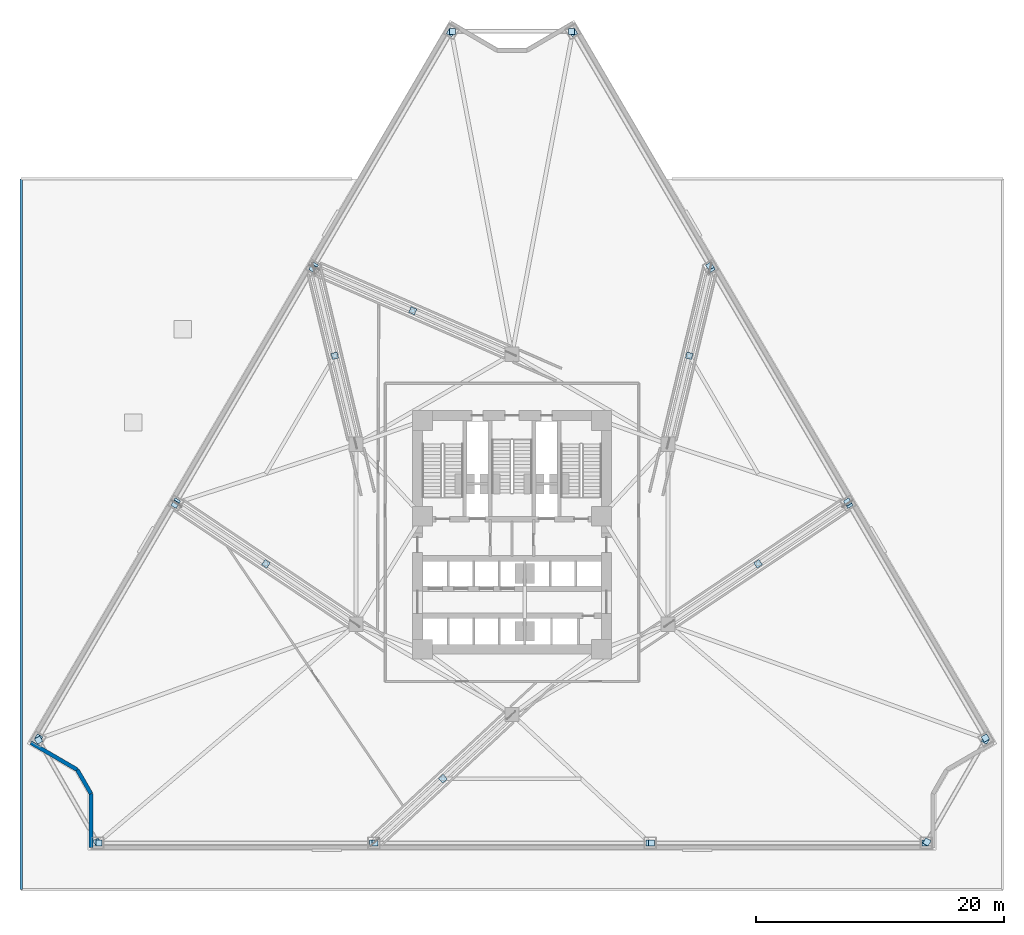
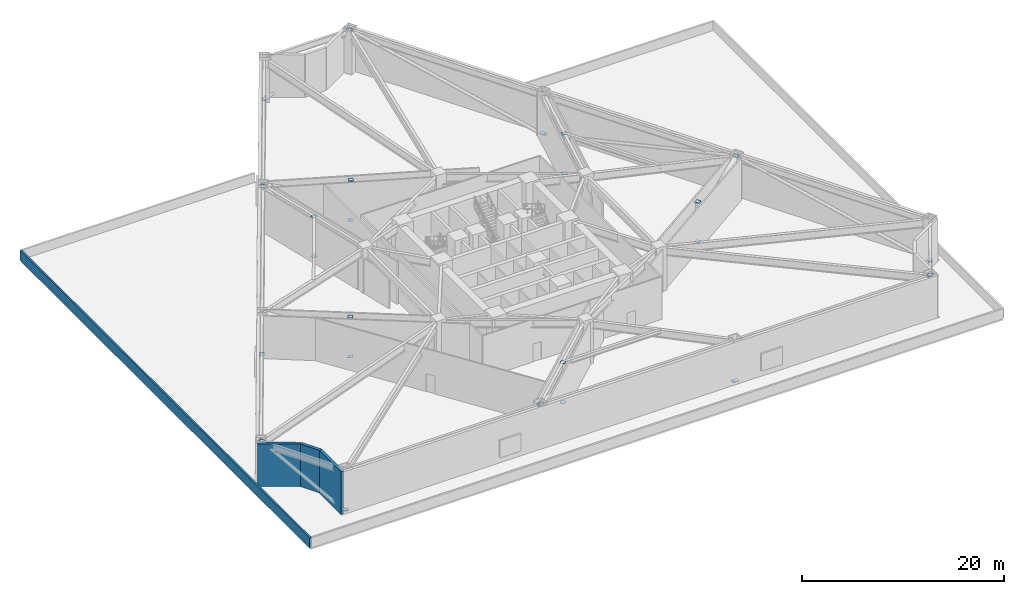
# One storey, part 13 of 23: 36 plates, 4 walls.
"""IFC4 building model written with IfcOpenShell, lengths in metres."""

from ifc_helpers import new_model, si_unit, direction, frame, frame_2d, origin, origin_2d, place, context, subcontext, project, spatial, rectangle, extrude, material, layer, layer_set, type_object, element, save


model = new_model("IFC4")

# Units and contexts
model_context = context("Model", 3, precision=1e-05, world=origin(), true_north=direction((0.0, 1.0)))
body_context = subcontext(model_context, "Body", "Model", "MODEL_VIEW")
ifc_project = project(units=[si_unit("LENGTHUNIT", "METRE"), si_unit("AREAUNIT", "SQUARE_METRE"), si_unit("VOLUMEUNIT", "CUBIC_METRE"), si_unit("PLANEANGLEUNIT", "RADIAN"), si_unit("MASSUNIT", "GRAM", prefix="KILO")], contexts=[model_context])

# Site, building, storey
site_placement = place(None, origin())
site = spatial("IfcSite", under=ifc_project, at=site_placement, CompositionType="ELEMENT")
building_placement = place(site_placement, origin())
building = spatial("IfcBuilding", under=site, at=building_placement, Name="Apsidion Concourse Tower", CompositionType="ELEMENT")
storey_placement = place(building_placement, frame((0.0, 0.0, 29.0)))
storey = spatial("IfcBuildingStorey", under=building, at=storey_placement, Name="L05", CompositionType="ELEMENT", Elevation=29.0)

# Plates
ifc_material_1 = material(Name="Structural steel ASTM A572 Grade 50", Category="steel")
ifc_layer_1 = layer(ifc_material_1, 0.034912109375)
ifc_layer_set_1 = layer_set([ifc_layer_1], Name="Structural steel ASTM A572 Grade 50")
plate_type = type_object("IfcPlateType", Name="PL-ENDCAP-35", PredefinedType="USERDEFINED", material=ifc_layer_set_1)
for number, where, z_axis, x_axis, name in (
    (1, (-19.8125, -2.371826171875, 0.22265625), (0.0, 0.0, 1.0), (-0.829720136676, 0.558179625922, 0.0), "L05 Outrigger Strut Base End-Cap Plate CAPA-01"),
    (2, (-19.8125, -2.371826171875, 5.03271484375), (0.0, 0.0, 1.0), (-0.829720136676, 0.558179625922, 0.0), "L05 Outrigger Strut Top End-Cap Plate CAPB-01"),
    (3, (19.8125, -2.371826171875, 0.22265625), (0.0, 0.0, 1.0), (0.829720136676, 0.558179625922, 0.0), "L05 Outrigger Strut Base End-Cap Plate CAPA-02"),
    (4, (19.8125, -2.371826171875, 5.03271484375), (0.0, 0.0, 1.0), (0.829720136676, 0.558179625922, 0.0), "L05 Outrigger Strut Top End-Cap Plate CAPB-02"),
    (5, (14.26806640625, 14.371826171875, 0.22265625), (0.0, 0.0, 1.0), (0.233275649735, 0.97241064949, 0.0), "L05 Outrigger Strut Base End-Cap Plate CAPA-03"),
    (6, (14.26806640625, 14.371826171875, 5.03271484375), (0.0, 0.0, 1.0), (0.233275649735, 0.97241064949, 0.0), "L05 Outrigger Strut Top End-Cap Plate CAPB-03"),
    (7, (-7.98828125, 17.996826171875, 0.22265625), (0.0, 0.0, 1.0), (-0.916083009922, 0.400988676813, 0.0), "L05 Outrigger Strut Base End-Cap Plate CAPA-04"),
    (8, (-7.98828125, 17.996826171875, 5.03271484375), (0.0, 0.0, 1.0), (-0.916083009922, 0.400988676813, 0.0), "L05 Outrigger Strut Top End-Cap Plate CAPB-04"),
    (9, (-14.26806640625, 14.371826171875, 0.22265625), (0.0, 0.0, 1.0), (-0.233275649735, 0.97241064949, 0.0), "L05 Outrigger Strut Base End-Cap Plate CAPA-05"),
    (10, (-14.26806640625, 14.371826171875, 5.03271484375), (0.0, 0.0, 1.0), (-0.233275649735, 0.97241064949, 0.0), "L05 Outrigger Strut Top End-Cap Plate CAPB-05"),
    (11, (-5.558349609375, -19.675048828125, 0.22265625), (0.0, 0.0, 1.0), (0.731948578909, 0.681359873953, 0.0), "L05 Outrigger Strut Base End-Cap Plate CAPA-06"),
    (12, (-5.558349609375, -19.675048828125, 5.03271484375), (0.0, 0.0, 1.0), (0.731948578909, 0.681359873953, 0.0), "L05 Outrigger Strut Top End-Cap Plate CAPB-06"),
    (13, (-4.93798828125, 40.394775390625, 0.1025390625), (0.0, 0.0, 1.0), (0.50437692518, 0.863483594138, 0.0), "L05 Belt-Truss Base End Plate BTP-01A"),
    (14, (-15.92578125, 21.580078125, 5.03271484375), (0.0, 0.0, 1.0), (0.50437692518, 0.863483594138, 0.0), "L05 Belt-Truss Top End Plate BTP-01B"),
    (15, (-27.014892578125, 2.5927734375, 0.1025390625), (0.0, 0.0, 1.0), (0.50437692518, 0.863483594138, 0.0), "L05 Belt-Truss Base End Plate BTP-02A"),
    (16, (-16.026611328125, 21.4072265625, 5.03271484375), (0.0, 0.0, 1.0), (0.50437692518, 0.863483594138, 0.0), "L05 Belt-Truss Top End Plate BTP-02B"),
    (17, (-27.115478515625, 2.419921875, 0.1025390625), (0.0, 0.0, 1.0), (0.50437692518, 0.863483594138, 0.0), "L05 Belt-Truss Base End Plate BTP-03A"),
    (18, (-38.103515625, -16.394775390625, 5.03271484375), (0.0, 0.0, 1.0), (0.50437692518, 0.863483594138, 0.0), "L05 Belt-Truss Top End Plate BTP-03B"),
    (19, (-33.39990234375, -24.76318359375, 0.1025390625), (0.0, 0.0, 1.0), (-0.497882410223, 0.867244547743, 0.0), "L05 Belt-Truss Base End Plate BTP-04A"),
    (20, (-38.104248046875, -16.56787109375, 5.03271484375), (0.0, 0.0, 1.0), (-0.497882410223, 0.867244547743, 0.0), "L05 Belt-Truss Top End Plate BTP-04B"),
    (21, (-33.25, -24.85009765625, 0.1025390625), (0.0, 0.0, 1.0), (1.0, 0.0, 0.0), "L05 Belt-Truss Base End Plate BTP-05A"),
    (22, (-11.216796875, -24.85009765625, 5.03271484375), (0.0, 0.0, 1.0), (1.0, 0.0, 0.0), "L05 Belt-Truss Top End Plate BTP-05B"),
    (23, (11.0166015625, -24.85009765625, 0.1025390625), (0.0, 0.0, 1.0), (1.0, 0.0, 0.0), "L05 Belt-Truss Base End Plate BTP-06A"),
    (24, (-11.0166015625, -24.85009765625, 5.03271484375), (0.0, 0.0, 1.0), (1.0, 0.0, 0.0), "L05 Belt-Truss Top End Plate BTP-06B"),
    (25, (11.216796875, -24.85009765625, 0.1025390625), (0.0, 0.0, 1.0), (1.0, 0.0, 0.0), "L05 Belt-Truss Base End Plate BTP-07A"),
    (26, (33.25, -24.85009765625, 5.03271484375), (0.0, 0.0, 1.0), (1.0, 0.0, 0.0), "L05 Belt-Truss Top End Plate BTP-07B"),
    (27, (38.104248046875, -16.56787109375, 0.1025390625), (0.0, 0.0, 1.0), (0.497882410223, 0.867244547743, 0.0), "L05 Belt-Truss Base End Plate BTP-08A"),
    (28, (33.39990234375, -24.76318359375, 5.03271484375), (0.0, 0.0, 1.0), (0.497882410223, 0.867244547743, 0.0), "L05 Belt-Truss Top End Plate BTP-08B"),
    (29, (38.103515625, -16.394775390625, 0.1025390625), (0.0, 0.0, 1.0), (-0.50437692518, 0.863483594138, 0.0), "L05 Belt-Truss Base End Plate BTP-09A"),
    (30, (27.115478515625, 2.419921875, 5.03271484375), (0.0, 0.0, 1.0), (-0.50437692518, 0.863483594138, 0.0), "L05 Belt-Truss Top End Plate BTP-09B"),
    (31, (16.026611328125, 21.4072265625, 0.1025390625), (0.0, 0.0, 1.0), (-0.50437692518, 0.863483594138, 0.0), "L05 Belt-Truss Base End Plate BTP-10A"),
    (32, (27.014892578125, 2.5927734375, 5.03271484375), (0.0, 0.0, 1.0), (-0.50437692518, 0.863483594138, 0.0), "L05 Belt-Truss Top End Plate BTP-10B"),
    (33, (15.92578125, 21.580078125, 0.1025390625), (0.0, 0.0, 1.0), (-0.50437692518, 0.863483594138, 0.0), "L05 Belt-Truss Base End Plate BTP-11A"),
    (34, (4.93798828125, 40.394775390625, 5.03271484375), (0.0, 0.0, 1.0), (-0.50437692518, 0.863483594138, 0.0), "L05 Belt-Truss Top End Plate BTP-11B"),
    (35, (-4.78759765625, 40.481201171875, 0.1025390625), (0.0, 0.0, 1.0), (1.0, 0.0, 0.0), "L05 Belt-Truss Base End Plate BTP-12A"),
    (36, (4.78759765625, 40.481201171875, 5.03271484375), (0.0, 0.0, 1.0), (1.0, 0.0, 0.0), "L05 Belt-Truss Top End Plate BTP-12B"),
):
    element("IfcPlate", number, at=place(storey_placement, frame(where, z_axis=z_axis, x_axis=x_axis)), inside=storey, type_object=plate_type, Name=name, ObjectType="FLANGE_PLATE", PredefinedType="USERDEFINED", context=body_context, shape_type="SweptSolid", body=[
        extrude(rectangle(XDim=0.5, YDim=0.5, at=origin_2d()), origin(), (0.0, 0.0, 1.0), 0.034912109375),
    ])

# Walls
ifc_material_2 = material(Name="Precast concrete C40/50", Category="concrete")
ifc_layer_2 = layer(ifc_material_2, 0.320068359375)
ifc_layer_set_2 = layer_set([ifc_layer_2], Name="Precast concrete C40/50")
wall_type_1 = type_object("IfcWallType", Name="WL-EXT-320", PredefinedType="STANDARD", material=ifc_layer_set_2)
wall_1_placement = place(storey_placement, frame((-33.88818359375, -25.199951171875, 0.0), z_axis=(0.0, 0.0, 1.0), x_axis=(0.0, 1.0, 0.0)))
element("IfcWall", 37, at=wall_1_placement, inside=storey, type_object=wall_type_1, Name="L05 Precast Stone Facade Wall 06", PredefinedType="STANDARD", context=body_context, shape_type="SweptSolid", body=[
    extrude(rectangle(XDim=4.32373046875, YDim=0.320068359375, at=frame_2d((2.161865234375, 0.0))), origin(), (0.0, 0.0, 1.0), 5.14990234375),
])
wall_2_placement = place(storey_placement, frame((-33.88818359375, -20.876220703125, 0.0), z_axis=(0.0, 0.0, 1.0), x_axis=(-0.497881323344, 0.867245171717, 0.0)))
element("IfcWall", 38, at=wall_2_placement, inside=storey, type_object=wall_type_1, Name="L05 Precast Stone Facade Wall 07", PredefinedType="STANDARD", context=body_context, shape_type="SweptSolid", body=[
    extrude(rectangle(XDim=2.216796875, YDim=0.320068359375, at=frame_2d((1.1083984375, 0.0))), origin(), (0.0, 0.0, 1.0), 5.14990234375),
])
wall_3_placement = place(storey_placement, frame((-34.991943359375, -18.95361328125, 0.0), z_axis=(0.0, 0.0, 1.0), x_axis=(-0.863569936823, 0.504229079105, 0.0)))
element("IfcWall", 39, at=wall_3_placement, inside=storey, type_object=wall_type_1, Name="L05 Precast Stone Facade Wall 08", PredefinedType="STANDARD", context=body_context, shape_type="SweptSolid", body=[
    extrude(rectangle(XDim=4.32373046875, YDim=0.320068359375, at=frame_2d((2.161865234375, 0.0))), origin(), (0.0, 0.0, 1.0), 5.14990234375),
])
ifc_layer_3 = layer(ifc_material_2, 0.199951171875)
ifc_layer_set_3 = layer_set([ifc_layer_3], Name="Precast concrete C40/50")
wall_type_2 = type_object("IfcWallType", Name="WL-PAR-200", PredefinedType="PARAPET", material=ifc_layer_set_3)
wall_4_placement = place(storey_placement, frame((-39.5, -28.60009765625, 0.0), z_axis=(0.0, 0.0, 1.0), x_axis=(0.0, 1.0, 0.0)))
element("IfcWall", 40, at=wall_4_placement, inside=storey, type_object=wall_type_2, Name="L05 Podium Maintenance Roof Parapet 3", PredefinedType="PARAPET", context=body_context, shape_type="SweptSolid", body=[
    extrude(rectangle(XDim=57.2001953125, YDim=0.199951171875, at=frame_2d((28.60009765625, 0.0))), origin(), (0.0, 0.0, 1.0), 1.199951171875),
])

save(model, "model.ifc")
